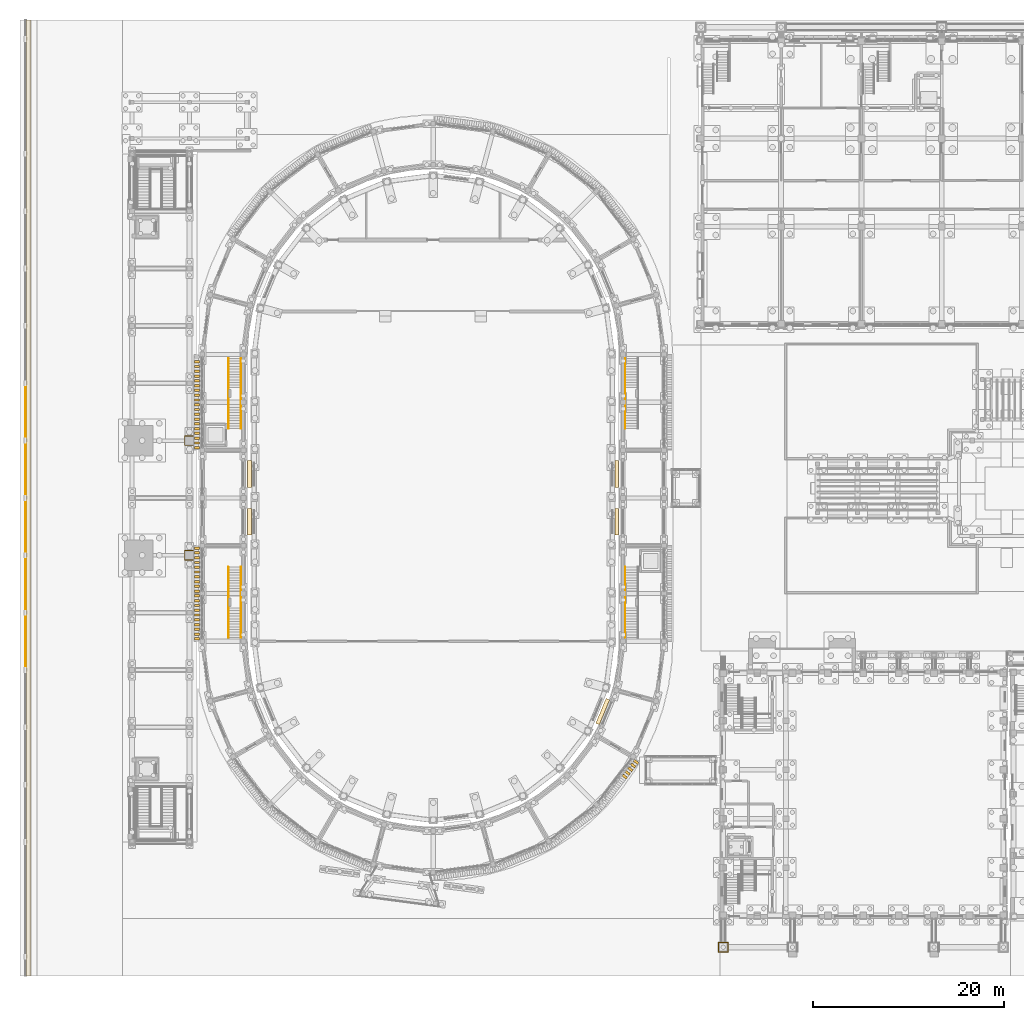
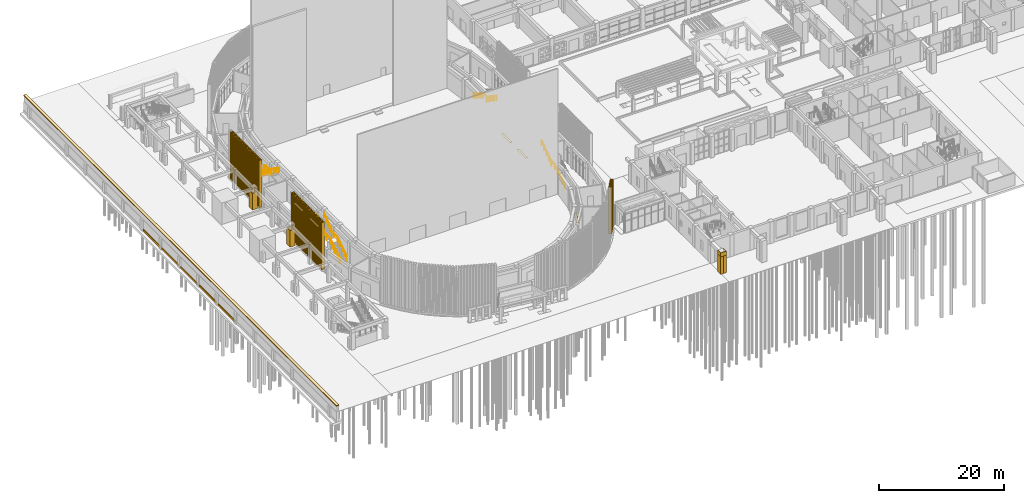
# One storey, part 95 of 112: 60 coverings, 6 railings.
"""IFC4 building model written with IfcOpenShell, lengths in metres."""

from ifc_helpers import new_model, si_unit, direction, frame, origin, origin_2d, place, context, subcontext, project, spatial, polyline, rectangle, circle, outline, extrude, material, layer, layer_set, type_object, element, save


model = new_model("IFC4")

# Units and contexts
model_context = context("Model", 3, precision=1e-05, world=origin(), true_north=direction((0.0, 1.0)))
body_context = subcontext(model_context, "Body", "Model", "MODEL_VIEW")
ifc_project = project(units=[si_unit("LENGTHUNIT", "METRE"), si_unit("AREAUNIT", "SQUARE_METRE"), si_unit("VOLUMEUNIT", "CUBIC_METRE"), si_unit("PLANEANGLEUNIT", "RADIAN"), si_unit("MASSUNIT", "GRAM", prefix="KILO")], contexts=[model_context])

# Site, building, storey
site_placement = place(None, origin())
site = spatial("IfcSite", under=ifc_project, at=site_placement, CompositionType="ELEMENT")
building_placement = place(site_placement, origin())
building = spatial("IfcBuilding", under=site, at=building_placement, Name="Wasatch Bagh Community Centre", CompositionType="ELEMENT")
storey_placement = place(building_placement, origin())
storey = spatial("IfcBuildingStorey", under=building, at=storey_placement, Name="L00", CompositionType="ELEMENT", Elevation=0.0)

# Coverings
ifc_material_1 = material(Name="Cast stone cladding", Category="masonry")
ifc_layer_1 = layer(ifc_material_1, 0.080078125)
ifc_layer_set_1 = layer_set([ifc_layer_1], Name="Cast stone cladding")
covering_type_1 = type_object("IfcCoveringType", Name="CL-C1 column facing", PredefinedType="CLADDING", material=ifc_layer_set_1)
covering_1_placement = place(storey_placement, origin())
element("IfcCovering", 1, at=covering_1_placement, inside=storey, type_object=covering_type_1, Name="Column facing", PredefinedType="CLADDING", context=body_context, shape_type="SweptSolid", body=[
    extrude(outline(polyline([(66.35009765625, 3.530029296875), (66.35009765625, 3.449951171875), (65.89990234375, 3.449951171875), (65.89990234375, 2.550048828125), (66.35009765625, 2.550048828125), (66.35009765625, 2.469970703125), (65.820068359375, 2.469970703125), (65.820068359375, 3.530029296875), (66.35009765625, 3.530029296875)])), origin(), (0.0, 0.0, 1.0), 3.39990234375),
])
covering_2_placement = place(storey_placement, origin())
element("IfcCovering", 2, at=covering_2_placement, inside=storey, type_object=covering_type_1, Name="Column facing", PredefinedType="CLADDING", context=body_context, shape_type="SweptSolid", body=[
    extrude(outline(polyline([(66.8798828125, 3.530029296875), (66.8798828125, 2.469970703125), (66.35009765625, 2.469970703125), (66.35009765625, 2.550048828125), (66.800048828125, 2.550048828125), (66.800048828125, 3.449951171875), (66.35009765625, 3.449951171875), (66.35009765625, 3.530029296875), (66.8798828125, 3.530029296875)])), origin(), (0.0, 0.0, 1.0), 3.39990234375),
])
covering_3_placement = place(storey_placement, frame((0.0, 0.0, 3.39990234375)))
element("IfcCovering", 3, at=covering_3_placement, inside=storey, type_object=covering_type_1, Name="Column facing", PredefinedType="CLADDING", context=body_context, shape_type="SweptSolid", body=[
    extrude(outline(polyline([(65.820068359375, 2.469970703125), (65.820068359375, 3.449951171875), (65.89990234375, 3.449951171875), (65.89990234375, 2.550048828125), (66.800048828125, 2.550048828125), (66.800048828125, 3.449951171875), (66.8798828125, 3.449951171875), (66.8798828125, 2.469970703125), (65.820068359375, 2.469970703125)])), origin(), (0.0, 0.0, 1.0), 0.800048828125),
])
covering_4_placement = place(storey_placement, origin())
element("IfcCovering", 4, at=covering_4_placement, inside=storey, type_object=covering_type_1, Name="Column facing", PredefinedType="CLADDING", context=body_context, shape_type="SweptSolid", body=[
    extrude(outline(polyline([(9.969970703125, 43.469970703125), (9.969970703125, 44.530029296875), (10.949951171875, 44.530029296875), (10.949951171875, 44.449951171875), (10.050048828125, 44.449951171875), (10.050048828125, 43.550048828125), (10.949951171875, 43.550048828125), (10.949951171875, 43.469970703125), (9.969970703125, 43.469970703125)])), origin(), (0.0, 0.0, 1.0), 3.25),
])
covering_5_placement = place(storey_placement, origin())
element("IfcCovering", 5, at=covering_5_placement, inside=storey, type_object=covering_type_1, Name="Column facing", PredefinedType="CLADDING", context=body_context, shape_type="SweptSolid", body=[
    extrude(outline(polyline([(9.969970703125, 55.469970703125), (9.969970703125, 56.530029296875), (10.949951171875, 56.530029296875), (10.949951171875, 56.449951171875), (10.050048828125, 56.449951171875), (10.050048828125, 55.550048828125), (10.949951171875, 55.550048828125), (10.949951171875, 55.469970703125), (9.969970703125, 55.469970703125)])), origin(), (0.0, 0.0, 1.0), 3.25),
])

# Railings
ifc_material_2 = material(Name="ASTM A500 Grade C steel", Category="steel")
railing_type_1 = type_object("IfcRailingType", Name="Drum guard 1100", PredefinedType="GUARDRAIL", material=ifc_material_2)
railing_1_placement = place(storey_placement, frame((14.574951171875, 35.39990234375, 0.175048828125)))
element("IfcRailing", 6, at=railing_1_placement, inside=storey, type_object=railing_type_1, Name="Stair guard SW0", PredefinedType="GUARDRAIL", context=body_context, shape_type="SweptSolid", body=[
    extrude(circle(Radius=0.02392578125, at=origin_2d()), frame((0.0, 0.0, 1.076171875), z_axis=(0.0, 0.847998304005, 0.529998940003), x_axis=(-1.0, 0.0, 0.0)), (0.0, 0.0, 1.0), 3.632080078125),
    extrude(circle(Radius=0.02392578125, at=origin_2d()), frame((0.0, 3.080078125, 3.0009765625), z_axis=(0.0, 1.0, 0.0), x_axis=(-1.0, 0.0, 0.0)), (0.0, 0.0, 1.0), 1.199951171875),
    extrude(circle(Radius=0.02392578125, at=origin_2d()), frame((0.0, 4.280029296875, 3.0009765625), z_axis=(0.0, 0.826252282691, 0.563300244406), x_axis=(-1.0, 0.0, 0.0)), (0.0, 0.0, 1.0), 3.727783203125),
    extrude(circle(Radius=0.02099609375, at=origin_2d()), origin(), (0.0, 0.0, 1.0), 1.052001953125),
    extrude(circle(Radius=0.02099609375, at=origin_2d()), frame((0.0, 0.77001953125, 0.481201171875)), (0.0, 0.0, 1.0), 1.052001953125),
    extrude(circle(Radius=0.02099609375, at=origin_2d()), frame((0.0, 1.5400390625, 0.96240234375)), (0.0, 0.0, 1.0), 1.052001953125),
    extrude(circle(Radius=0.02099609375, at=origin_2d()), frame((0.0, 2.31005859375, 1.44384765625)), (0.0, 0.0, 1.0), 1.052001953125),
    extrude(circle(Radius=0.02099609375, at=origin_2d()), frame((0.0, 3.080078125, 1.925048828125)), (0.0, 0.0, 1.0), 1.052001953125),
    extrude(circle(Radius=0.02099609375, at=origin_2d()), frame((0.0, 4.280029296875, 1.925048828125)), (0.0, 0.0, 1.0), 1.052001953125),
    extrude(circle(Radius=0.02099609375, at=origin_2d()), frame((0.0, 5.050048828125, 2.449951171875)), (0.0, 0.0, 1.0), 1.052001953125),
    extrude(circle(Radius=0.02099609375, at=origin_2d()), frame((0.0, 5.820068359375, 2.97509765625)), (0.0, 0.0, 1.0), 1.052001953125),
    extrude(circle(Radius=0.02099609375, at=origin_2d()), frame((0.0, 6.590087890625, 3.5)), (0.0, 0.0, 1.0), 1.052001953125),
    extrude(circle(Radius=0.02099609375, at=origin_2d()), frame((0.0, 7.360107421875, 4.02490234375)), (0.0, 0.0, 1.0), 1.052001953125),
])
railing_2_placement = place(storey_placement, frame((14.574951171875, 64.60009765625, 0.175048828125)))
element("IfcRailing", 7, at=railing_2_placement, inside=storey, type_object=railing_type_1, Name="Stair guard NW0", PredefinedType="GUARDRAIL", context=body_context, shape_type="SweptSolid", body=[
    extrude(circle(Radius=0.02392578125, at=origin_2d()), frame((0.0, 0.0, 1.076171875), z_axis=(0.0, -0.847998304005, 0.529998940003), x_axis=(1.0, 0.0, 0.0)), (0.0, 0.0, 1.0), 3.632080078125),
    extrude(circle(Radius=0.02392578125, at=origin_2d()), frame((0.0, -3.080078125, 3.0009765625), z_axis=(0.0, -1.0, 0.0), x_axis=(1.0, 0.0, 0.0)), (0.0, 0.0, 1.0), 1.199951171875),
    extrude(circle(Radius=0.02392578125, at=origin_2d()), frame((0.0, -4.280029296875, 3.0009765625), z_axis=(0.0, -0.826252282691, 0.563300244406), x_axis=(1.0, 0.0, 0.0)), (0.0, 0.0, 1.0), 3.727783203125),
    extrude(circle(Radius=0.02099609375, at=origin_2d()), origin(), (0.0, 0.0, 1.0), 1.052001953125),
    extrude(circle(Radius=0.02099609375, at=origin_2d()), frame((0.0, -0.77001953125, 0.481201171875)), (0.0, 0.0, 1.0), 1.052001953125),
    extrude(circle(Radius=0.02099609375, at=origin_2d()), frame((0.0, -1.5400390625, 0.96240234375)), (0.0, 0.0, 1.0), 1.052001953125),
    extrude(circle(Radius=0.02099609375, at=origin_2d()), frame((0.0, -2.31005859375, 1.44384765625)), (0.0, 0.0, 1.0), 1.052001953125),
    extrude(circle(Radius=0.02099609375, at=origin_2d()), frame((0.0, -3.080078125, 1.925048828125)), (0.0, 0.0, 1.0), 1.052001953125),
    extrude(circle(Radius=0.02099609375, at=origin_2d()), frame((0.0, -4.280029296875, 1.925048828125)), (0.0, 0.0, 1.0), 1.052001953125),
    extrude(circle(Radius=0.02099609375, at=origin_2d()), frame((0.0, -5.050048828125, 2.449951171875)), (0.0, 0.0, 1.0), 1.052001953125),
    extrude(circle(Radius=0.02099609375, at=origin_2d()), frame((0.0, -5.820068359375, 2.97509765625)), (0.0, 0.0, 1.0), 1.052001953125),
    extrude(circle(Radius=0.02099609375, at=origin_2d()), frame((0.0, -6.590087890625, 3.5)), (0.0, 0.0, 1.0), 1.052001953125),
    extrude(circle(Radius=0.02099609375, at=origin_2d()), frame((0.0, -7.360107421875, 4.02490234375)), (0.0, 0.0, 1.0), 1.052001953125),
])
railing_type_2 = type_object("IfcRailingType", Name="Drum handrail 900", PredefinedType="HANDRAIL", material=ifc_material_2)
railing_3_placement = place(storey_placement, frame((15.905029296875, 35.39990234375, 0.175048828125)))
element("IfcRailing", 8, at=railing_3_placement, inside=storey, type_object=railing_type_2, Name="Stair handrail SW0", PredefinedType="HANDRAIL", context=body_context, shape_type="SweptSolid", body=[
    extrude(circle(Radius=0.02392578125, at=origin_2d()), frame((0.0, 0.0, 0.8759765625), z_axis=(0.0, 0.847998304005, 0.529998940003), x_axis=(-1.0, 0.0, 0.0)), (0.0, 0.0, 1.0), 3.632080078125),
    extrude(circle(Radius=0.02392578125, at=origin_2d()), frame((0.0, 3.080078125, 2.80078125), z_axis=(0.0, 1.0, 0.0), x_axis=(-1.0, 0.0, 0.0)), (0.0, 0.0, 1.0), 1.199951171875),
    extrude(circle(Radius=0.02392578125, at=origin_2d()), frame((0.0, 4.280029296875, 2.80078125), z_axis=(0.0, 0.826252282691, 0.563300244406), x_axis=(-1.0, 0.0, 0.0)), (0.0, 0.0, 1.0), 3.727783203125),
    extrude(circle(Radius=0.02099609375, at=origin_2d()), origin(), (0.0, 0.0, 1.0), 0.851806640625),
    extrude(circle(Radius=0.02099609375, at=origin_2d()), frame((0.0, 0.77001953125, 0.481201171875)), (0.0, 0.0, 1.0), 0.851806640625),
    extrude(circle(Radius=0.02099609375, at=origin_2d()), frame((0.0, 1.5400390625, 0.96240234375)), (0.0, 0.0, 1.0), 0.851806640625),
    extrude(circle(Radius=0.02099609375, at=origin_2d()), frame((0.0, 2.31005859375, 1.44384765625)), (0.0, 0.0, 1.0), 0.851806640625),
    extrude(circle(Radius=0.02099609375, at=origin_2d()), frame((0.0, 3.080078125, 1.925048828125)), (0.0, 0.0, 1.0), 0.851806640625),
    extrude(circle(Radius=0.02099609375, at=origin_2d()), frame((0.0, 4.280029296875, 1.925048828125)), (0.0, 0.0, 1.0), 0.851806640625),
    extrude(circle(Radius=0.02099609375, at=origin_2d()), frame((0.0, 5.050048828125, 2.449951171875)), (0.0, 0.0, 1.0), 0.851806640625),
    extrude(circle(Radius=0.02099609375, at=origin_2d()), frame((0.0, 5.820068359375, 2.97509765625)), (0.0, 0.0, 1.0), 0.851806640625),
    extrude(circle(Radius=0.02099609375, at=origin_2d()), frame((0.0, 6.590087890625, 3.5)), (0.0, 0.0, 1.0), 0.851806640625),
    extrude(circle(Radius=0.02099609375, at=origin_2d()), frame((0.0, 7.360107421875, 4.02490234375)), (0.0, 0.0, 1.0), 0.851806640625),
])
railing_4_placement = place(storey_placement, frame((56.094970703125, 35.39990234375, 0.175048828125)))
element("IfcRailing", 9, at=railing_4_placement, inside=storey, type_object=railing_type_2, Name="Stair handrail SE0", PredefinedType="HANDRAIL", context=body_context, shape_type="SweptSolid", body=[
    extrude(circle(Radius=0.02392578125, at=origin_2d()), frame((0.0, 0.0, 0.8759765625), z_axis=(0.0, 0.847998304005, 0.529998940003), x_axis=(-1.0, 0.0, 0.0)), (0.0, 0.0, 1.0), 3.632080078125),
    extrude(circle(Radius=0.02392578125, at=origin_2d()), frame((0.0, 3.080078125, 2.80078125), z_axis=(0.0, 1.0, 0.0), x_axis=(-1.0, 0.0, 0.0)), (0.0, 0.0, 1.0), 1.199951171875),
    extrude(circle(Radius=0.02392578125, at=origin_2d()), frame((0.0, 4.280029296875, 2.80078125), z_axis=(0.0, 0.826252282691, 0.563300244406), x_axis=(-1.0, 0.0, 0.0)), (0.0, 0.0, 1.0), 3.727783203125),
    extrude(circle(Radius=0.02099609375, at=origin_2d()), origin(), (0.0, 0.0, 1.0), 0.851806640625),
    extrude(circle(Radius=0.02099609375, at=origin_2d()), frame((0.0, 0.77001953125, 0.481201171875)), (0.0, 0.0, 1.0), 0.851806640625),
    extrude(circle(Radius=0.02099609375, at=origin_2d()), frame((0.0, 1.5400390625, 0.96240234375)), (0.0, 0.0, 1.0), 0.851806640625),
    extrude(circle(Radius=0.02099609375, at=origin_2d()), frame((0.0, 2.31005859375, 1.44384765625)), (0.0, 0.0, 1.0), 0.851806640625),
    extrude(circle(Radius=0.02099609375, at=origin_2d()), frame((0.0, 3.080078125, 1.925048828125)), (0.0, 0.0, 1.0), 0.851806640625),
    extrude(circle(Radius=0.02099609375, at=origin_2d()), frame((0.0, 4.280029296875, 1.925048828125)), (0.0, 0.0, 1.0), 0.851806640625),
    extrude(circle(Radius=0.02099609375, at=origin_2d()), frame((0.0, 5.050048828125, 2.449951171875)), (0.0, 0.0, 1.0), 0.851806640625),
    extrude(circle(Radius=0.02099609375, at=origin_2d()), frame((0.0, 5.820068359375, 2.97509765625)), (0.0, 0.0, 1.0), 0.851806640625),
    extrude(circle(Radius=0.02099609375, at=origin_2d()), frame((0.0, 6.590087890625, 3.5)), (0.0, 0.0, 1.0), 0.851806640625),
    extrude(circle(Radius=0.02099609375, at=origin_2d()), frame((0.0, 7.360107421875, 4.02490234375)), (0.0, 0.0, 1.0), 0.851806640625),
])
railing_5_placement = place(storey_placement, frame((56.094970703125, 64.60009765625, 0.175048828125)))
element("IfcRailing", 10, at=railing_5_placement, inside=storey, type_object=railing_type_2, Name="Stair handrail NE0", PredefinedType="HANDRAIL", context=body_context, shape_type="SweptSolid", body=[
    extrude(circle(Radius=0.02392578125, at=origin_2d()), frame((0.0, 0.0, 0.8759765625), z_axis=(0.0, -0.847998304005, 0.529998940003), x_axis=(1.0, 0.0, 0.0)), (0.0, 0.0, 1.0), 3.632080078125),
    extrude(circle(Radius=0.02392578125, at=origin_2d()), frame((0.0, -3.080078125, 2.80078125), z_axis=(0.0, -1.0, 0.0), x_axis=(1.0, 0.0, 0.0)), (0.0, 0.0, 1.0), 1.199951171875),
    extrude(circle(Radius=0.02392578125, at=origin_2d()), frame((0.0, -4.280029296875, 2.80078125), z_axis=(0.0, -0.826252282691, 0.563300244406), x_axis=(1.0, 0.0, 0.0)), (0.0, 0.0, 1.0), 3.727783203125),
    extrude(circle(Radius=0.02099609375, at=origin_2d()), origin(), (0.0, 0.0, 1.0), 0.851806640625),
    extrude(circle(Radius=0.02099609375, at=origin_2d()), frame((0.0, -0.77001953125, 0.481201171875)), (0.0, 0.0, 1.0), 0.851806640625),
    extrude(circle(Radius=0.02099609375, at=origin_2d()), frame((0.0, -1.5400390625, 0.96240234375)), (0.0, 0.0, 1.0), 0.851806640625),
    extrude(circle(Radius=0.02099609375, at=origin_2d()), frame((0.0, -2.31005859375, 1.44384765625)), (0.0, 0.0, 1.0), 0.851806640625),
    extrude(circle(Radius=0.02099609375, at=origin_2d()), frame((0.0, -3.080078125, 1.925048828125)), (0.0, 0.0, 1.0), 0.851806640625),
    extrude(circle(Radius=0.02099609375, at=origin_2d()), frame((0.0, -4.280029296875, 1.925048828125)), (0.0, 0.0, 1.0), 0.851806640625),
    extrude(circle(Radius=0.02099609375, at=origin_2d()), frame((0.0, -5.050048828125, 2.449951171875)), (0.0, 0.0, 1.0), 0.851806640625),
    extrude(circle(Radius=0.02099609375, at=origin_2d()), frame((0.0, -5.820068359375, 2.97509765625)), (0.0, 0.0, 1.0), 0.851806640625),
    extrude(circle(Radius=0.02099609375, at=origin_2d()), frame((0.0, -6.590087890625, 3.5)), (0.0, 0.0, 1.0), 0.851806640625),
    extrude(circle(Radius=0.02099609375, at=origin_2d()), frame((0.0, -7.360107421875, 4.02490234375)), (0.0, 0.0, 1.0), 0.851806640625),
])
railing_6_placement = place(storey_placement, frame((15.905029296875, 64.60009765625, 0.175048828125)))
element("IfcRailing", 11, at=railing_6_placement, inside=storey, type_object=railing_type_2, Name="Stair handrail NW0", PredefinedType="HANDRAIL", context=body_context, shape_type="SweptSolid", body=[
    extrude(circle(Radius=0.02392578125, at=origin_2d()), frame((0.0, 0.0, 0.8759765625), z_axis=(0.0, -0.847998304005, 0.529998940003), x_axis=(1.0, 0.0, 0.0)), (0.0, 0.0, 1.0), 3.632080078125),
    extrude(circle(Radius=0.02392578125, at=origin_2d()), frame((0.0, -3.080078125, 2.80078125), z_axis=(0.0, -1.0, 0.0), x_axis=(1.0, 0.0, 0.0)), (0.0, 0.0, 1.0), 1.199951171875),
    extrude(circle(Radius=0.02392578125, at=origin_2d()), frame((0.0, -4.280029296875, 2.80078125), z_axis=(0.0, -0.826252282691, 0.563300244406), x_axis=(1.0, 0.0, 0.0)), (0.0, 0.0, 1.0), 3.727783203125),
    extrude(circle(Radius=0.02099609375, at=origin_2d()), origin(), (0.0, 0.0, 1.0), 0.851806640625),
    extrude(circle(Radius=0.02099609375, at=origin_2d()), frame((0.0, -0.77001953125, 0.481201171875)), (0.0, 0.0, 1.0), 0.851806640625),
    extrude(circle(Radius=0.02099609375, at=origin_2d()), frame((0.0, -1.5400390625, 0.96240234375)), (0.0, 0.0, 1.0), 0.851806640625),
    extrude(circle(Radius=0.02099609375, at=origin_2d()), frame((0.0, -2.31005859375, 1.44384765625)), (0.0, 0.0, 1.0), 0.851806640625),
    extrude(circle(Radius=0.02099609375, at=origin_2d()), frame((0.0, -3.080078125, 1.925048828125)), (0.0, 0.0, 1.0), 0.851806640625),
    extrude(circle(Radius=0.02099609375, at=origin_2d()), frame((0.0, -4.280029296875, 1.925048828125)), (0.0, 0.0, 1.0), 0.851806640625),
    extrude(circle(Radius=0.02099609375, at=origin_2d()), frame((0.0, -5.050048828125, 2.449951171875)), (0.0, 0.0, 1.0), 0.851806640625),
    extrude(circle(Radius=0.02099609375, at=origin_2d()), frame((0.0, -5.820068359375, 2.97509765625)), (0.0, 0.0, 1.0), 0.851806640625),
    extrude(circle(Radius=0.02099609375, at=origin_2d()), frame((0.0, -6.590087890625, 3.5)), (0.0, 0.0, 1.0), 0.851806640625),
    extrude(circle(Radius=0.02099609375, at=origin_2d()), frame((0.0, -7.360107421875, 4.02490234375)), (0.0, 0.0, 1.0), 0.851806640625),
])

# Coverings
ifc_material_3 = material(Name="Aluminium chequer plate", Category="aluminium")
ifc_layer_2 = layer(ifc_material_3, 0.02001953125)
ifc_layer_set_2 = layer_set([ifc_layer_2], Name="Aluminium chequer plate")
covering_type_2 = type_object("IfcCoveringType", Name="Drum joint cover plate", PredefinedType="FLOORING", material=ifc_layer_set_2)
for number, where, z_axis, x_axis, name in (
    (12, (16.800048828125, 52.5, 0.0), (0.0, 0.0, 1.0), (-1.0, 0.0, 0.0), "Joint cover plate Promenade"),
    (13, (16.800048828125, 47.5, 0.0), (0.0, 0.0, 1.0), (-1.0, 0.0, 0.0), "Joint cover plate Promenade B"),
    (14, (55.199951171875, 47.5, 0.0), (0.0, 0.0, 1.0), (1.0, 0.0, 0.0), "Joint cover plate Court B"),
    (15, (55.199951171875, 52.5, 0.0), (0.0, 0.0, 1.0), (1.0, 0.0, 0.0), "Joint cover plate Court"),
    (16, (53.738525390625, 27.652587890625, 0.0), (0.0, 0.0, 1.0), (0.923879532511, -0.382683432365, 0.0), "Joint cover plate South-East"),
):
    element("IfcCovering", number, at=place(storey_placement, frame(where, z_axis=z_axis, x_axis=x_axis)), inside=storey, type_object=covering_type_2, Name=name, PredefinedType="FLOORING", context=body_context, shape_type="SweptSolid", body=[
        extrude(rectangle(XDim=0.39990234375, YDim=2.800048828125, at=origin_2d()), origin(), (0.0, 0.0, 1.0), 0.02001953125),
    ])
ifc_material_4 = material(Name="White precast concrete C40/50", Category="concrete")
ifc_layer_3 = layer(ifc_material_4, 0.25)
ifc_layer_set_3 = layer_set([ifc_layer_3], Name="White precast concrete C40/50")
covering_type_3 = type_object("IfcCoveringType", Name="Drum vertical fin", PredefinedType="CLADDING", material=ifc_layer_set_3)
for number, where, z_axis, x_axis, name in (
    (17, (56.038330078125, 20.8466796875, 0.2998046875), (0.0, 0.0, 1.0), (0.608761429009, 0.793353340291, 0.0), "Fin 10.9"),
    (18, (56.33349609375, 21.2314453125, 0.2998046875), (0.0, 0.0, 1.0), (0.608761429009, 0.793353340291, 0.0), "Fin 10.10"),
    (19, (56.628662109375, 21.6162109375, 0.2998046875), (0.0, 0.0, 1.0), (0.608761429009, 0.793353340291, 0.0), "Fin 10.11"),
    (20, (56.923828125, 22.0009765625, 0.2998046875), (0.0, 0.0, 1.0), (0.608761429009, 0.793353340291, 0.0), "Fin 10.12"),
    (21, (57.218994140625, 22.3857421875, 0.2998046875), (0.0, 0.0, 1.0), (0.608761429009, 0.793353340291, 0.0), "Fin 10.13"),
    (22, (11.280029296875, 64.25, 0.2998046875), (0.0, 0.0, 1.0), (0.0, -1.0, 0.0), "Fin 31.2"),
    (23, (11.280029296875, 63.75, 0.2998046875), (0.0, 0.0, 1.0), (0.0, -1.0, 0.0), "Fin 31.3"),
    (24, (11.280029296875, 63.25, 0.2998046875), (0.0, 0.0, 1.0), (0.0, -1.0, 0.0), "Fin 31.4"),
    (25, (11.280029296875, 62.75, 0.2998046875), (0.0, 0.0, 1.0), (0.0, -1.0, 0.0), "Fin 31.5"),
    (26, (11.280029296875, 62.25, 0.2998046875), (0.0, 0.0, 1.0), (0.0, -1.0, 0.0), "Fin 31.6"),
    (27, (11.280029296875, 61.75, 0.2998046875), (0.0, 0.0, 1.0), (0.0, -1.0, 0.0), "Fin 31.7"),
    (28, (11.280029296875, 61.25, 0.2998046875), (0.0, 0.0, 1.0), (0.0, -1.0, 0.0), "Fin 31.8"),
    (29, (11.280029296875, 60.75, 0.2998046875), (0.0, 0.0, 1.0), (0.0, -1.0, 0.0), "Fin 31.9"),
    (30, (11.280029296875, 60.25, 0.2998046875), (0.0, 0.0, 1.0), (0.0, -1.0, 0.0), "Fin 31.10"),
    (31, (11.280029296875, 59.75, 0.2998046875), (0.0, 0.0, 1.0), (0.0, -1.0, 0.0), "Fin 32.1"),
    (32, (11.280029296875, 59.25, 0.2998046875), (0.0, 0.0, 1.0), (0.0, -1.0, 0.0), "Fin 32.2"),
    (33, (11.280029296875, 58.75, 0.2998046875), (0.0, 0.0, 1.0), (0.0, -1.0, 0.0), "Fin 32.3"),
    (34, (11.280029296875, 58.25, 0.2998046875), (0.0, 0.0, 1.0), (0.0, -1.0, 0.0), "Fin 32.4"),
    (35, (11.280029296875, 57.75, 0.2998046875), (0.0, 0.0, 1.0), (0.0, -1.0, 0.0), "Fin 32.5"),
    (36, (11.280029296875, 57.25, 0.2998046875), (0.0, 0.0, 1.0), (0.0, -1.0, 0.0), "Fin 32.6"),
    (37, (11.280029296875, 56.75, 0.2998046875), (0.0, 0.0, 1.0), (0.0, -1.0, 0.0), "Fin 32.7"),
    (38, (11.280029296875, 56.25, 0.2998046875), (0.0, 0.0, 1.0), (0.0, -1.0, 0.0), "Fin 32.8"),
    (39, (11.280029296875, 55.75, 0.2998046875), (0.0, 0.0, 1.0), (0.0, -1.0, 0.0), "Fin 32.9"),
    (40, (11.280029296875, 55.25, 0.2998046875), (0.0, 0.0, 1.0), (0.0, -1.0, 0.0), "Fin 32.10"),
    (41, (11.280029296875, 44.75, 0.2998046875), (0.0, 0.0, 1.0), (0.0, -1.0, 0.0), "Fin 35.1"),
    (42, (11.280029296875, 44.25, 0.2998046875), (0.0, 0.0, 1.0), (0.0, -1.0, 0.0), "Fin 35.2"),
    (43, (11.280029296875, 43.75, 0.2998046875), (0.0, 0.0, 1.0), (0.0, -1.0, 0.0), "Fin 35.3"),
    (44, (11.280029296875, 43.25, 0.2998046875), (0.0, 0.0, 1.0), (0.0, -1.0, 0.0), "Fin 35.4"),
    (45, (11.280029296875, 42.75, 0.2998046875), (0.0, 0.0, 1.0), (0.0, -1.0, 0.0), "Fin 35.5"),
    (46, (11.280029296875, 42.25, 0.2998046875), (0.0, 0.0, 1.0), (0.0, -1.0, 0.0), "Fin 35.6"),
    (47, (11.280029296875, 41.75, 0.2998046875), (0.0, 0.0, 1.0), (0.0, -1.0, 0.0), "Fin 35.7"),
    (48, (11.280029296875, 41.25, 0.2998046875), (0.0, 0.0, 1.0), (0.0, -1.0, 0.0), "Fin 35.8"),
    (49, (11.280029296875, 40.75, 0.2998046875), (0.0, 0.0, 1.0), (0.0, -1.0, 0.0), "Fin 35.9"),
    (50, (11.280029296875, 40.25, 0.2998046875), (0.0, 0.0, 1.0), (0.0, -1.0, 0.0), "Fin 35.10"),
    (51, (11.280029296875, 39.75, 0.2998046875), (0.0, 0.0, 1.0), (0.0, -1.0, 0.0), "Fin 36.1"),
    (52, (11.280029296875, 39.25, 0.2998046875), (0.0, 0.0, 1.0), (0.0, -1.0, 0.0), "Fin 36.2"),
    (53, (11.280029296875, 38.75, 0.2998046875), (0.0, 0.0, 1.0), (0.0, -1.0, 0.0), "Fin 36.3"),
    (54, (11.280029296875, 38.25, 0.2998046875), (0.0, 0.0, 1.0), (0.0, -1.0, 0.0), "Fin 36.4"),
    (55, (11.280029296875, 37.75, 0.2998046875), (0.0, 0.0, 1.0), (0.0, -1.0, 0.0), "Fin 36.5"),
    (56, (11.280029296875, 37.25, 0.2998046875), (0.0, 0.0, 1.0), (0.0, -1.0, 0.0), "Fin 36.6"),
    (57, (11.280029296875, 36.75, 0.2998046875), (0.0, 0.0, 1.0), (0.0, -1.0, 0.0), "Fin 36.7"),
    (58, (11.280029296875, 36.25, 0.2998046875), (0.0, 0.0, 1.0), (0.0, -1.0, 0.0), "Fin 36.8"),
    (59, (11.280029296875, 35.75, 0.2998046875), (0.0, 0.0, 1.0), (0.0, -1.0, 0.0), "Fin 36.9"),
    (60, (11.280029296875, 35.25, 0.2998046875), (0.0, 0.0, 1.0), (0.0, -1.0, 0.0), "Fin 36.10"),
):
    element("IfcCovering", number, at=place(storey_placement, frame(where, z_axis=z_axis, x_axis=x_axis)), inside=storey, type_object=covering_type_3, Name=name, PredefinedType="CLADDING", context=body_context, shape_type="SweptSolid", body=[
        extrude(rectangle(XDim=0.25, YDim=0.550048828125, at=origin_2d()), origin(), (0.0, 0.0, 1.0), 9.199951171875),
    ])
ifc_layer_4 = layer(ifc_material_4, 0.14990234375)
ifc_layer_set_4 = layer_set([ifc_layer_4], Name="White precast concrete C40/50")
covering_type_4 = type_object("IfcCoveringType", Name="Quay coping 150", PredefinedType="CLADDING", material=ifc_layer_set_4)
covering_6_placement = place(storey_placement, frame((-6.324951171875, 50.0, 1.10009765625), z_axis=(0.0, 0.0, 1.0), x_axis=(1.0, 0.0, 0.0)))
element("IfcCovering", 61, at=covering_6_placement, inside=storey, type_object=covering_type_4, Name="Quay coping 1", PredefinedType="CLADDING", context=body_context, shape_type="SweptSolid", body=[
    extrude(rectangle(XDim=0.5, YDim=100.0, at=origin_2d()), origin(), (0.0, 0.0, 1.0), 0.14990234375),
])
ifc_layer_5 = layer(ifc_material_4, 0.10009765625)
ifc_layer_set_5 = layer_set([ifc_layer_5], Name="White precast concrete C40/50")
covering_type_5 = type_object("IfcCoveringType", Name="Quay plinth band 100", PredefinedType="CLADDING", material=ifc_layer_set_5)
for number, where, z_axis, x_axis, name in (
    (62, (-6.60009765625, 35.0, -2.050048828125), (0.0, 0.0, 1.0), (1.0, 0.0, 0.0), "Quay plinth band 6"),
    (63, (-6.60009765625, 41.0, -2.050048828125), (0.0, 0.0, 1.0), (1.0, 0.0, 0.0), "Quay plinth band 7"),
    (64, (-6.60009765625, 47.0, -2.050048828125), (0.0, 0.0, 1.0), (1.0, 0.0, 0.0), "Quay plinth band 8"),
    (65, (-6.60009765625, 53.0, -2.050048828125), (0.0, 0.0, 1.0), (1.0, 0.0, 0.0), "Quay plinth band 9"),
    (66, (-6.60009765625, 59.0, -2.050048828125), (0.0, 0.0, 1.0), (1.0, 0.0, 0.0), "Quay plinth band 10"),
):
    element("IfcCovering", number, at=place(storey_placement, frame(where, z_axis=z_axis, x_axis=x_axis)), inside=storey, type_object=covering_type_5, Name=name, PredefinedType="CLADDING", context=body_context, shape_type="SweptSolid", body=[
        extrude(rectangle(XDim=0.10009765625, YDim=5.39990234375, at=origin_2d()), origin(), (0.0, 0.0, 1.0), 0.39990234375),
    ])

save(model, "model.ifc")
